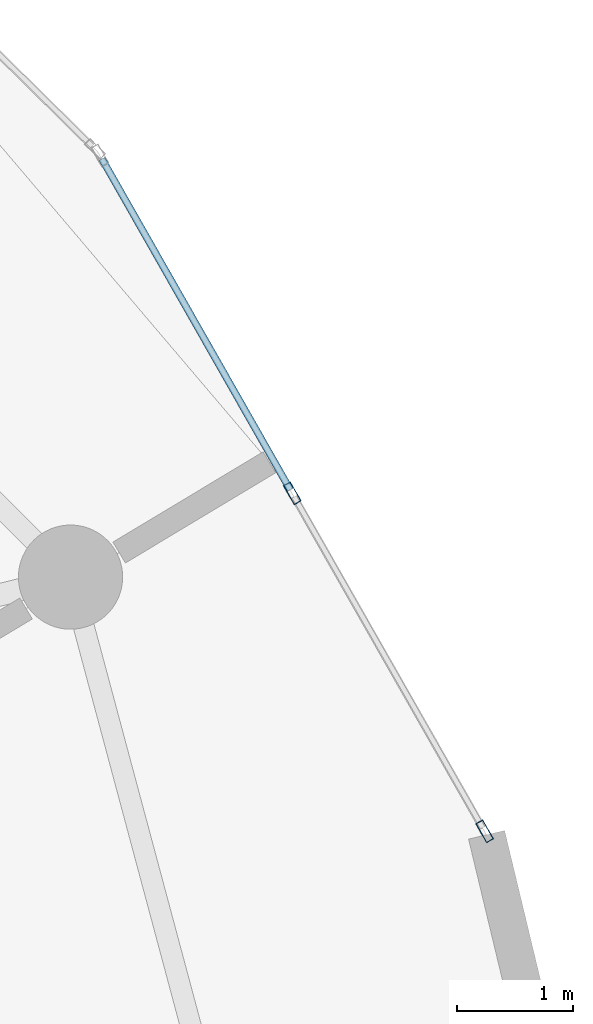
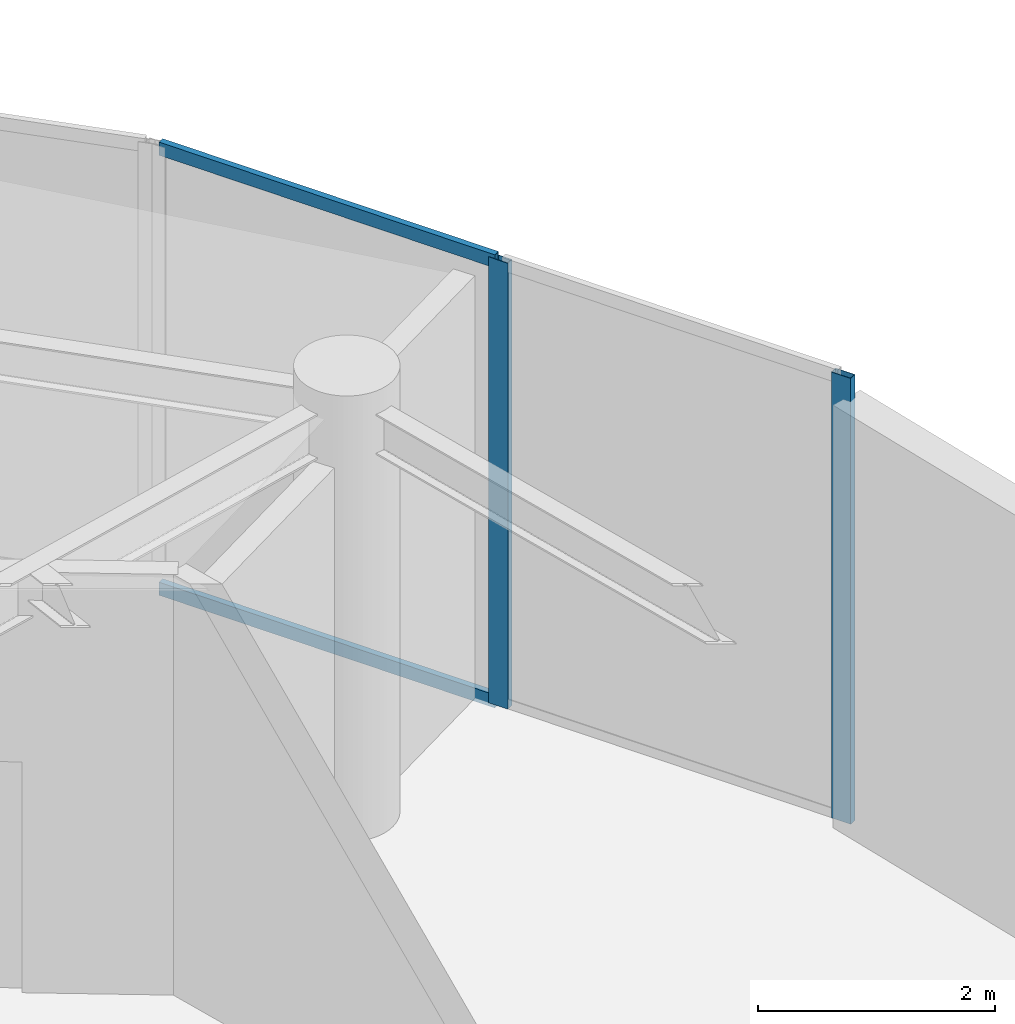
# One storey, part 13 of 23: 4 members, 1 element without a shape of its own.
"""IFC4 building model written with IfcOpenShell, lengths in metres."""

from ifc_helpers import new_model, si_unit, direction, frame, origin, origin_2d, place, context, subcontext, project, spatial, hollow_rectangle, extrude, source, transform, mapped, material, layer, layer_set, material_profile, profile_set, type_object, element, aggregate, save


model = new_model("IFC4")

# Units and contexts
model_context = context("Model", 3, precision=1e-05, world=origin(), true_north=direction((0.0, 1.0)))
body_context = subcontext(model_context, "Body", "Model", "MODEL_VIEW")
ifc_project = project(units=[si_unit("LENGTHUNIT", "METRE"), si_unit("AREAUNIT", "SQUARE_METRE"), si_unit("VOLUMEUNIT", "CUBIC_METRE"), si_unit("PLANEANGLEUNIT", "RADIAN"), si_unit("MASSUNIT", "GRAM", prefix="KILO")], contexts=[model_context])

# Site, building, storey
site_placement = place(None, origin())
site = spatial("IfcSite", under=ifc_project, at=site_placement, CompositionType="ELEMENT")
building_placement = place(site_placement, origin())
building = spatial("IfcBuilding", under=site, at=building_placement, Name="Solvirekh Grand Hotel", CompositionType="ELEMENT")
storey_placement = place(building_placement, frame((0.0, 0.0, 168.60009765625)))
storey = spatial("IfcBuildingStorey", under=building, at=storey_placement, Name="L43", CompositionType="ELEMENT", Elevation=168.60009765625)

# Curtain wall, members
ifc_material = material(Name="Anodized Bronze Aluminium 6063-T6", Category="aluminium")
ifc_layer = layer(ifc_material, 0.18994140625)
ifc_layer_set = layer_set([ifc_layer], Name="Anodized Bronze Aluminium 6063-T6")
curtain_wall_type = type_object("IfcCurtainWallType", Name="CW_Sys5_SkyLobbyPanoramaCW", PredefinedType="NOTDEFINED", material=ifc_layer_set)
curtain_wall_placement = place(storey_placement, origin())
curtain_wall = element("IfcCurtainWall", 1, at=curtain_wall_placement, inside=storey, type_object=curtain_wall_type, Name="L43 unitised bronze-glass curtain wall CW-L43-C05", PredefinedType="NOTDEFINED")
ifc_material_profile_1 = material_profile(ifc_material, hollow_rectangle(XDim=0.070068359375, YDim=0.18994140625, WallThickness=0.0048828125, at=origin_2d()), Name="ALU RHS 190X70X5")
ifc_profile_set_1 = profile_set([ifc_material_profile_1], Name="Anodized Bronze Aluminium 6063-T6")
member_type_1 = type_object("IfcMemberType", Name="CWMullion_Sys5", PredefinedType="MULLION", material=ifc_profile_set_1)
shared_shape_1 = source(origin(), body_context, "Body", "SweptSolid", [
    extrude(hollow_rectangle(XDim=0.070068359375, YDim=0.18994140625, WallThickness=0.0048828125, at=origin_2d()), origin(), (0.0, 0.0, 1.0), 4.599853515625),
])
member_1_placement = place(storey_placement, frame((17.2587890625, 5.705322265625, 0.0), z_axis=(0.0, 0.0, 1.0), x_axis=(-0.869112493472, -0.494614469755, 0.0)))
member_1 = element("IfcMember", 2, at=member_1_placement, type_object=member_type_1, Name="U05 mullion 1", PredefinedType="MULLION", context=body_context, shape_type="MappedRepresentation", body=[
    mapped(shared_shape_1, transform((0.0, 0.0, 0.0), x_axis=(1.0, 0.0, 0.0), y_axis=(0.0, 1.0, 0.0), z_axis=(0.0, 0.0, 1.0), scale=1.0)),
])
member_2_placement = place(storey_placement, frame((15.597900390625, 8.62353515625, 0.0), z_axis=(0.0, 0.0, 1.0), x_axis=(-0.869112493472, -0.494614469755, 0.0)))
member_2 = element("IfcMember", 3, at=member_2_placement, type_object=member_type_1, Name="U05 mullion 2", PredefinedType="MULLION", context=body_context, shape_type="MappedRepresentation", body=[
    mapped(shared_shape_1, transform((0.0, 0.0, 0.0), x_axis=(1.0, 0.0, 0.0), y_axis=(0.0, 1.0, 0.0), z_axis=(0.0, 0.0, 1.0), scale=1.0)),
])
ifc_material_profile_2 = material_profile(ifc_material, hollow_rectangle(XDim=0.06005859375, YDim=0.135009765625, WallThickness=0.00390625, at=origin_2d()), Name="ALU RHS 135X60X4")
ifc_profile_set_2 = profile_set([ifc_material_profile_2], Name="Anodized Bronze Aluminium 6063-T6")
member_type_2 = type_object("IfcMemberType", Name="CWTransom_Sys5", PredefinedType="USERDEFINED", material=ifc_profile_set_2)
shared_shape_2 = source(origin(), body_context, "Body", "SweptSolid", [
    extrude(hollow_rectangle(XDim=0.06005859375, YDim=0.135009765625, WallThickness=0.00390625, at=origin_2d()), origin(), (0.0, 0.0, 1.0), 3.287841796875),
])
member_3_placement = place(storey_placement, frame((15.580810546875, 8.65380859375, 0.02978515625), z_axis=(-0.494626768352, 0.869105494189, 0.0), x_axis=(-0.869105494189, -0.494626768352, 0.0)))
member_3 = element("IfcMember", 4, at=member_3_placement, type_object=member_type_2, Name="U05 transom 2.1", ObjectType="TRANSOM", PredefinedType="USERDEFINED", context=body_context, shape_type="MappedRepresentation", body=[
    mapped(shared_shape_2, transform((0.0, 0.0, 0.0), x_axis=(1.0, 0.0, 0.0), y_axis=(0.0, 1.0, 0.0), z_axis=(0.0, 0.0, 1.0), scale=1.0)),
])
member_4_placement = place(storey_placement, frame((15.580810546875, 8.65380859375, 4.56982421875), z_axis=(-0.494626768352, 0.869105494189, 0.0), x_axis=(-0.869105494189, -0.494626768352, 0.0)))
member_4 = element("IfcMember", 5, at=member_4_placement, type_object=member_type_2, Name="U05 transom 2.2", ObjectType="TRANSOM", PredefinedType="USERDEFINED", context=body_context, shape_type="MappedRepresentation", body=[
    mapped(shared_shape_2, transform((0.0, 0.0, 0.0), x_axis=(1.0, 0.0, 0.0), y_axis=(0.0, 1.0, 0.0), z_axis=(0.0, 0.0, 1.0), scale=1.0)),
])
aggregate(curtain_wall, [member_1, member_2, member_3, member_4])

save(model, "model.ifc")
